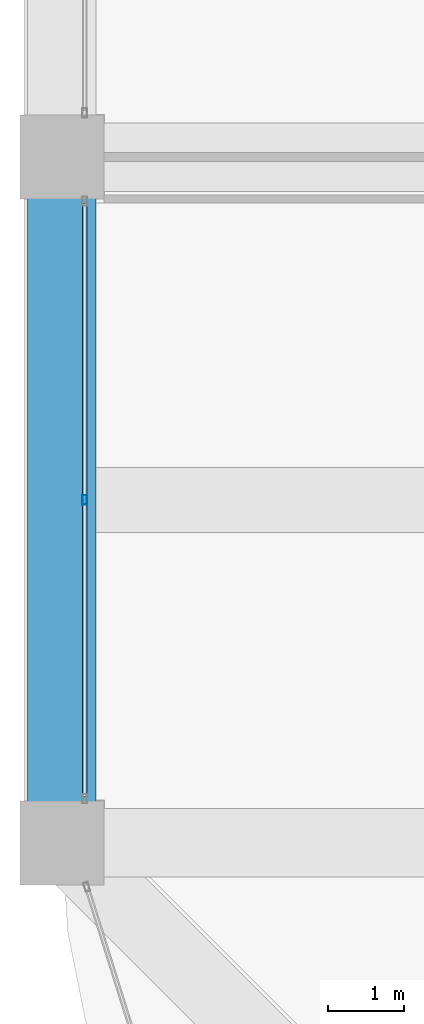
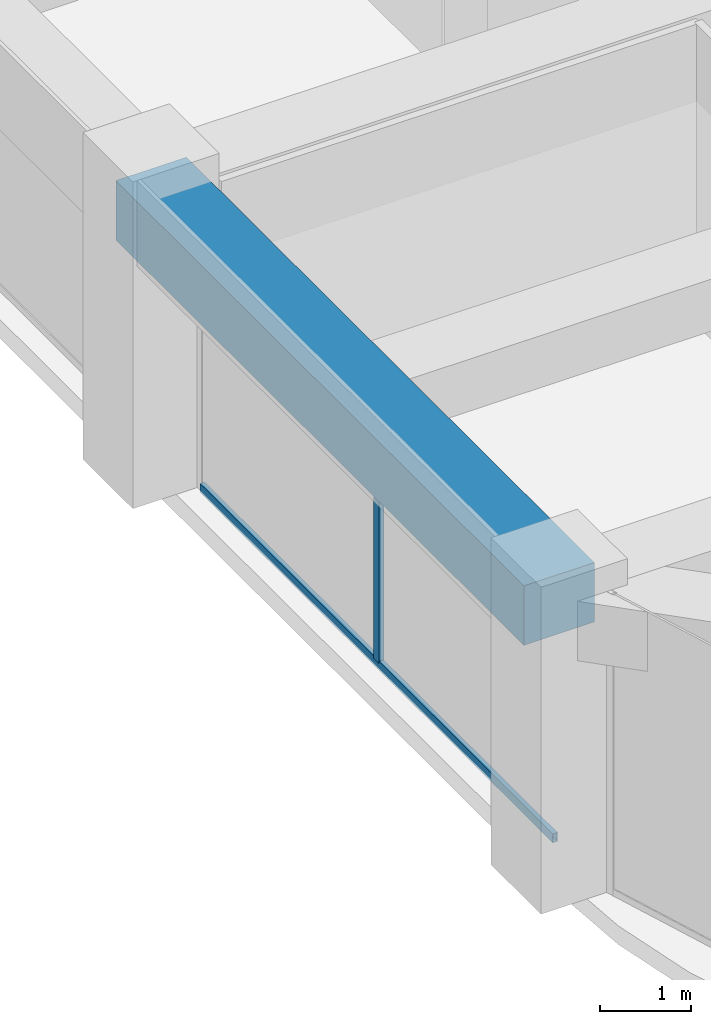
# One storey, part 7 of 44: 2 members, 1 beam, 1 element without a shape of its own.
"""IFC4 building model written with IfcOpenShell, lengths in metres."""

from ifc_helpers import new_model, si_unit, direction, frame, origin, origin_2d, place, context, subcontext, project, spatial, rectangle, hollow_rectangle, extrude, material, material_profile, profile_set, type_object, element, aggregate, save


model = new_model("IFC4")

# Units and contexts
model_context = context("Model", 3, precision=1e-05, world=origin(), true_north=direction((0.0, 1.0)))
body_context = subcontext(model_context, "Body", "Model", "MODEL_VIEW")
ifc_project = project(units=[si_unit("LENGTHUNIT", "METRE"), si_unit("AREAUNIT", "SQUARE_METRE"), si_unit("VOLUMEUNIT", "CUBIC_METRE"), si_unit("PLANEANGLEUNIT", "RADIAN"), si_unit("MASSUNIT", "GRAM", prefix="KILO")], contexts=[model_context])

# Site, building, storey
site_placement = place(None, origin())
site = spatial("IfcSite", under=ifc_project, at=site_placement, CompositionType="ELEMENT")
building_placement = place(site_placement, origin())
building = spatial("IfcBuilding", under=site, at=building_placement, Name="Zorevar Civic Tower", CompositionType="ELEMENT")
storey_placement = place(building_placement, frame((0.0, 0.0, 307.39990234375)))
storey = spatial("IfcBuildingStorey", under=building, at=storey_placement, Name="L75", CompositionType="ELEMENT", Elevation=307.39990234375)

# Curtain wall, members
ifc_material_1 = material(Name="Dark grey solar-control glass in black aluminium frame", Category="aluminium")
curtain_wall_type = type_object("IfcCurtainWallType", Name="Curtain wall CW5 top zone", PredefinedType="NOTDEFINED", material=ifc_material_1)
curtain_wall_placement = place(storey_placement, origin())
curtain_wall = element("IfcCurtainWall", 1, at=curtain_wall_placement, inside=storey, type_object=curtain_wall_type, Name="CW5 L75", PredefinedType="NOTDEFINED")
ifc_material_2 = material(Name="Aluminium, black anodised", Category="aluminium")
ifc_material_profile_1 = material_profile(ifc_material_2, hollow_rectangle(XDim=0.06005859375, YDim=0.1201171875, WallThickness=0.0029296875, at=origin_2d()), Name="AL 120x60x3")
ifc_profile_set_1 = profile_set([ifc_material_profile_1], Name="Aluminium, black anodised")
member_type_1 = type_object("IfcMemberType", Name="CW5 mullion AL 120x60x3", PredefinedType="MULLION", material=ifc_profile_set_1)
member_1_placement = place(storey_placement, frame((9.300048828125, 13.5, 0.06005859375), z_axis=(0.0, 0.0, 1.0), x_axis=(-1.0, 0.0, 0.0)))
member_1 = element("IfcMember", 2, at=member_1_placement, type_object=member_type_1, Name="CW5 mullion 2", PredefinedType="MULLION", context=body_context, shape_type="SweptSolid", body=[
    extrude(hollow_rectangle(XDim=0.06005859375, YDim=0.1201171875, WallThickness=0.0029296875, at=origin_2d()), origin(), (0.0, 0.0, 1.0), 3.18994140625),
])
ifc_material_3 = material(Name="Aluminium, black anodised", Category="aluminium")
ifc_material_profile_2 = material_profile(ifc_material_3, hollow_rectangle(XDim=0.06005859375, YDim=0.1201171875, WallThickness=0.0029296875, at=origin_2d()), Name="AL 120x60x3")
ifc_profile_set_2 = profile_set([ifc_material_profile_2], Name="Aluminium, black anodised")
member_type_2 = type_object("IfcMemberType", Name="CW5 transom AL 120x60x3", PredefinedType="USERDEFINED", material=ifc_profile_set_2)
member_2_placement = place(storey_placement, frame((9.300048828125, 9.610107421875, 0.030029296875), z_axis=(0.0, 1.0, 0.0), x_axis=(-1.0, 0.0, 0.0)))
member_2 = element("IfcMember", 3, at=member_2_placement, type_object=member_type_2, Name="CW5 sill transom", ObjectType="TRANSOM", PredefinedType="USERDEFINED", context=body_context, shape_type="SweptSolid", body=[
    extrude(hollow_rectangle(XDim=0.06005859375, YDim=0.1201171875, WallThickness=0.0029296875, at=origin_2d()), origin(), (0.0, 0.0, 1.0), 7.77978515625),
])
aggregate(curtain_wall, [member_1, member_2])

# Beam
ifc_material_4 = material(Name="Concrete C50/60", Category="concrete")
ifc_material_profile_3 = material_profile(ifc_material_4, rectangle(XDim=0.89990234375, YDim=0.800048828125, at=origin_2d()), Name="RC 900x800")
ifc_profile_set_3 = profile_set([ifc_material_profile_3], Name="Concrete C50/60")
beam_type = type_object("IfcBeamType", Name="Edge beam RC 900x800", PredefinedType="SPANDREL", material=ifc_profile_set_3)
beam_placement = place(storey_placement, frame((9.0, 9.0, 3.650146484375), z_axis=(0.0, 1.0, 0.0), x_axis=(-1.0, 0.0, 0.0)))
element("IfcBeam", 4, at=beam_placement, inside=storey, type_object=beam_type, Name="Edge beam RF", PredefinedType="SPANDREL", context=body_context, shape_type="SweptSolid", body=[
    extrude(rectangle(XDim=0.89990234375, YDim=0.800048828125, at=origin_2d()), origin(), (0.0, 0.0, 1.0), 9.0),
])

save(model, "model.ifc")
